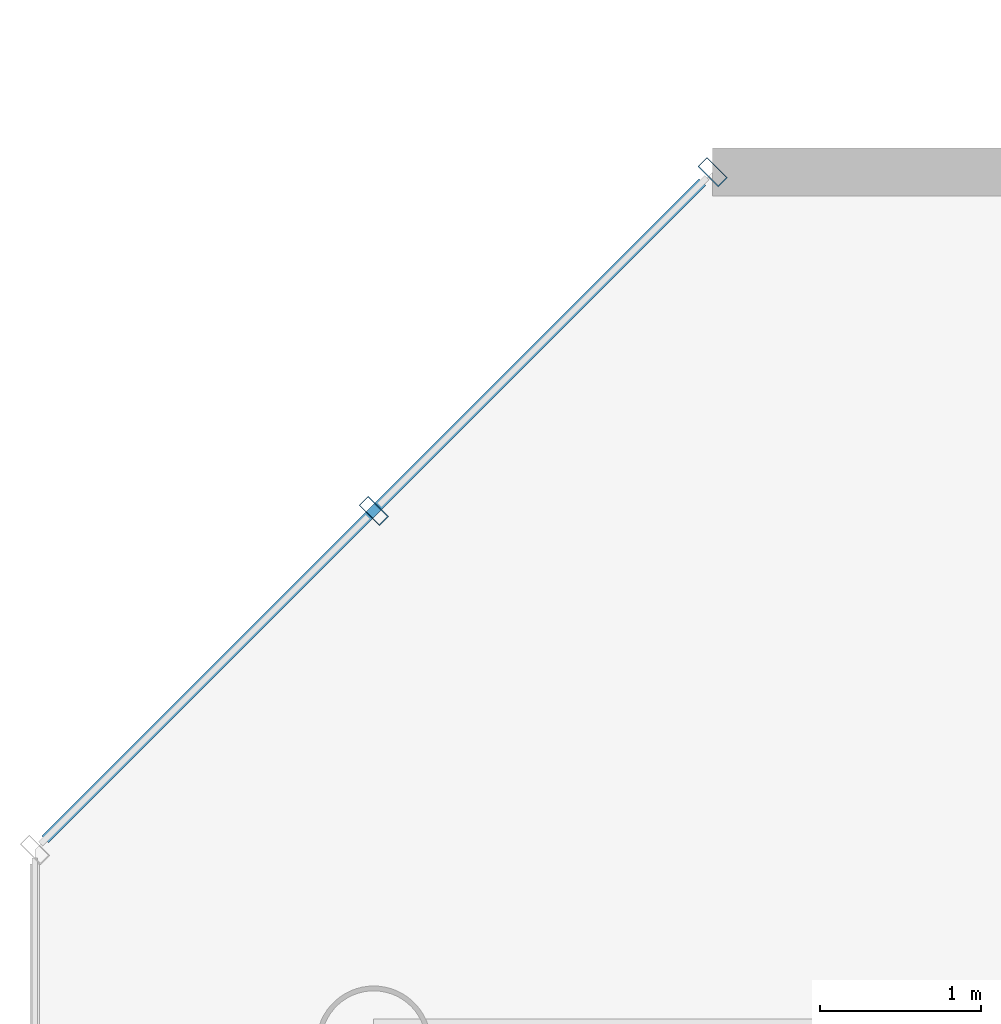
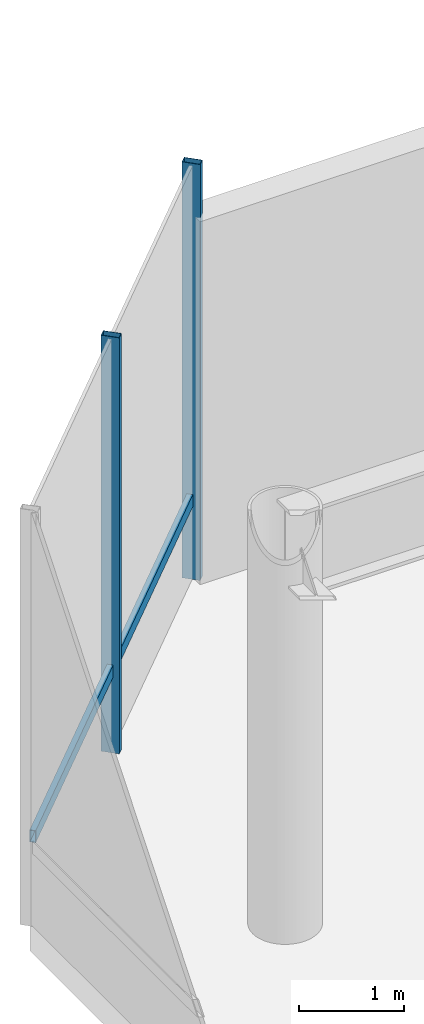
# One storey, part 12 of 31: 3 members, 1 element without a shape of its own.
"""IFC4 building model written with IfcOpenShell, lengths in metres."""

from ifc_helpers import new_model, si_unit, direction, frame, origin, origin_2d, place, context, subcontext, project, spatial, hollow_rectangle, extrude, material, layer, layer_set, material_profile, profile_set, type_object, element, aggregate, save


model = new_model("IFC4")

# Units and contexts
model_context = context("Model", 3, precision=1e-05, world=origin(), true_north=direction((0.0, 1.0)))
body_context = subcontext(model_context, "Body", "Model", "MODEL_VIEW")
ifc_project = project(units=[si_unit("LENGTHUNIT", "METRE"), si_unit("AREAUNIT", "SQUARE_METRE"), si_unit("VOLUMEUNIT", "CUBIC_METRE"), si_unit("PLANEANGLEUNIT", "RADIAN"), si_unit("MASSUNIT", "GRAM", prefix="KILO")], contexts=[model_context])

# Site, building, storey
site_placement = place(None, origin())
site = spatial("IfcSite", under=ifc_project, at=site_placement, CompositionType="ELEMENT")
building_placement = place(site_placement, origin())
building = spatial("IfcBuilding", under=site, at=building_placement, Name="Zarrinselat Tower", CompositionType="ELEMENT")
storey_placement = place(building_placement, origin())
storey = spatial("IfcBuildingStorey", under=building, at=storey_placement, Name="L00", CompositionType="ELEMENT", Elevation=0.0)

# Curtain wall, members
ifc_material_1 = material(Name="Extruded Aluminium Alloy EN AW-6063 T6", Category="aluminium")
ifc_layer = layer(ifc_material_1, 0.2099609375)
ifc_layer_set = layer_set([ifc_layer], Name="Extruded Aluminium Alloy EN AW-6063 T6")
curtain_wall_type = type_object("IfcCurtainWallType", Name="CWS-POD", PredefinedType="NOTDEFINED", material=ifc_layer_set)
curtain_wall_placement = place(storey_placement, origin())
curtain_wall = element("IfcCurtainWall", 1, at=curtain_wall_placement, inside=storey, type_object=curtain_wall_type, Name="L00 Unitised Curtain Wall CW-L00-E6", PredefinedType="NOTDEFINED")
ifc_material_2 = material(Name="Extruded Aluminium Alloy EN AW-6063 T6", Category="aluminium")
ifc_material_profile_1 = material_profile(ifc_material_2, hollow_rectangle(XDim=0.080078125, YDim=0.179931640625, WallThickness=0.0048828125, at=origin_2d()), Name="RHS 180x80x5")
ifc_profile_set_1 = profile_set([ifc_material_profile_1], Name="Extruded Aluminium Alloy EN AW-6063 T6")
member_type_1 = type_object("IfcMemberType", Name="MEM-CW-MUL", PredefinedType="MULLION", material=ifc_profile_set_1)
member_1_placement = place(storey_placement, frame((1.699951171875, 52.199951171875, 0.0), z_axis=(0.0, 0.0, 1.0), x_axis=(-0.707106781187, -0.707106781187, 0.0)))
member_1 = element("IfcMember", 2, at=member_1_placement, type_object=member_type_1, Name="CW-L00-E6 Mullion 0", PredefinedType="MULLION", context=body_context, shape_type="SweptSolid", body=[
    extrude(hollow_rectangle(XDim=0.080078125, YDim=0.179931640625, WallThickness=0.0048828125, at=origin_2d()), origin(), (0.0, 0.0, 1.0), 4.820068359375),
])
member_2_placement = place(storey_placement, frame((-0.39990234375, 50.10009765625, 0.0), z_axis=(0.0, 0.0, 1.0), x_axis=(-0.707106781187, -0.707106781187, 0.0)))
member_2 = element("IfcMember", 3, at=member_2_placement, type_object=member_type_1, Name="CW-L00-E6 Mullion 1", PredefinedType="MULLION", context=body_context, shape_type="SweptSolid", body=[
    extrude(hollow_rectangle(XDim=0.080078125, YDim=0.179931640625, WallThickness=0.0048828125, at=origin_2d()), origin(), (0.0, 0.0, 1.0), 4.820068359375),
])
ifc_material_3 = material(Name="Extruded Aluminium Alloy EN AW-6063 T6", Category="aluminium")
ifc_material_profile_2 = material_profile(ifc_material_3, hollow_rectangle(XDim=0.06005859375, YDim=0.139892578125, WallThickness=0.00390625, at=origin_2d()), Name="RHS 140x60x4")
ifc_profile_set_2 = profile_set([ifc_material_profile_2], Name="Extruded Aluminium Alloy EN AW-6063 T6")
member_type_2 = type_object("IfcMemberType", Name="MEM-CW-TRN", PredefinedType="USERDEFINED", material=ifc_profile_set_2)
member_3_placement = place(storey_placement, frame((1.636474609375, 52.136474609375, 0.949951171875), z_axis=(-0.707106781187, -0.707106781187, 0.0), x_axis=(0.707106781187, -0.707106781187, 0.0)))
member_3 = element("IfcMember", 4, at=member_3_placement, type_object=member_type_2, Name="CW-L00-E6 Transom 1", ObjectType="TRANSOM", PredefinedType="USERDEFINED", context=body_context, shape_type="SweptSolid", body=[
    extrude(hollow_rectangle(XDim=0.06005859375, YDim=0.139892578125, WallThickness=0.00390625, at=origin_2d()), origin(), (0.0, 0.0, 1.0), 5.759765625),
])
aggregate(curtain_wall, [member_1, member_2, member_3])

save(model, "model.ifc")
